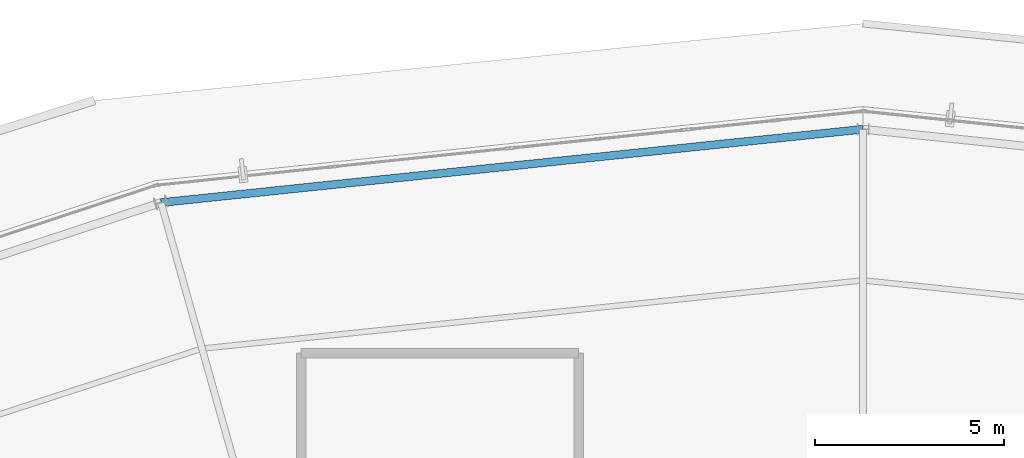
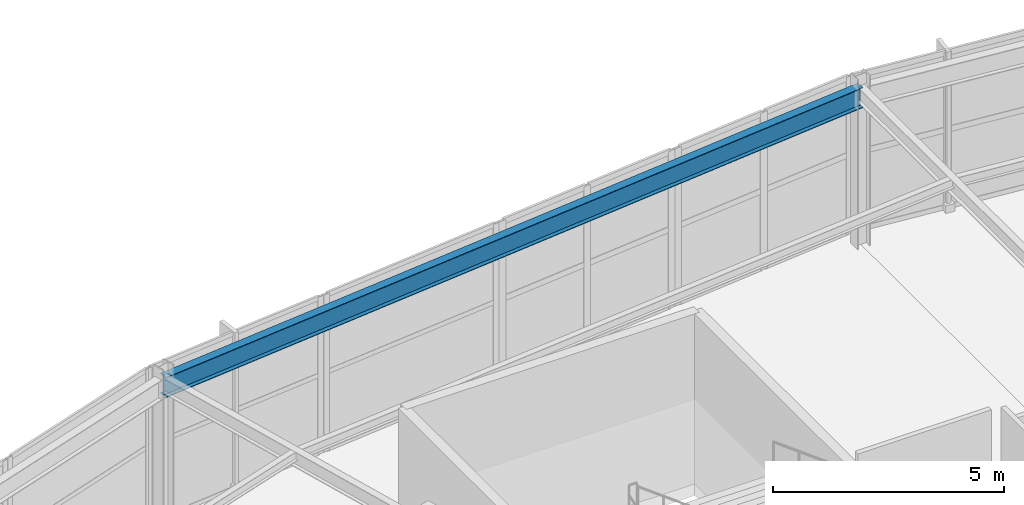
# One storey, part 70 of 126: 1 beam.
"""IFC4 building model written with IfcOpenShell, lengths in metres."""

from ifc_helpers import new_model, si_unit, direction, frame, origin, origin_2d, place, context, subcontext, project, spatial, i_section, extrude, material, material_profile, profile_set, type_object, element, save


model = new_model("IFC4")

# Units and contexts
model_context = context("Model", 3, precision=1e-05, world=origin(), true_north=direction((0.0, 1.0)))
body_context = subcontext(model_context, "Body", "Model", "MODEL_VIEW")
ifc_project = project(units=[si_unit("LENGTHUNIT", "METRE"), si_unit("AREAUNIT", "SQUARE_METRE"), si_unit("VOLUMEUNIT", "CUBIC_METRE"), si_unit("PLANEANGLEUNIT", "RADIAN"), si_unit("MASSUNIT", "GRAM", prefix="KILO")], contexts=[model_context])

# Site, building, storey
site_placement = place(None, origin())
site = spatial("IfcSite", under=ifc_project, at=site_placement, CompositionType="ELEMENT")
building_placement = place(site_placement, origin())
building = spatial("IfcBuilding", under=site, at=building_placement, Name="Kalgoora Escarpment Arena", CompositionType="ELEMENT")
storey_placement = place(building_placement, frame((0.0, 0.0, 18.89990234375)))
storey = spatial("IfcBuildingStorey", under=building, at=storey_placement, Name="L04", CompositionType="ELEMENT", Elevation=18.89990234375)

# Beam
ifc_material = material(Name="Structural steel AS/NZS 3679 (300 MPa)", Category="steel")
ifc_material_profile = material_profile(ifc_material, i_section(OverallWidth=0.208984375, OverallDepth=0.532958984375, WebThickness=0.01025390625, FlangeThickness=0.015625, at=origin_2d()))
ifc_profile_set = profile_set([ifc_material_profile], Name="Structural steel AS/NZS 3679 (300 MPa)")
beam_type = type_object("IfcBeamType", Name="BM-SPANDREL-530UB92.4", PredefinedType="SPANDREL", material=ifc_profile_set)
beam_placement = place(storey_placement, frame((92.39990234375, 121.0, 3.943603515625), z_axis=(-0.994583005347, -0.103945396599, 0.0), x_axis=(0.103945396599, -0.994583005347, 0.0)))
element("IfcBeam", 1, at=beam_placement, inside=storey, type_object=beam_type, Name="L04 Circumferential concourse girder RCONC2 530UB92.4", PredefinedType="SPANDREL", context=body_context, shape_type="SweptSolid", body=[
    extrude(i_section(OverallWidth=0.208984375, OverallDepth=0.532958984375, WebThickness=0.01025390625, FlangeThickness=0.015625, at=origin_2d()), origin(), (0.0, 0.0, 1.0), 18.684326171875),
])

save(model, "model.ifc")
